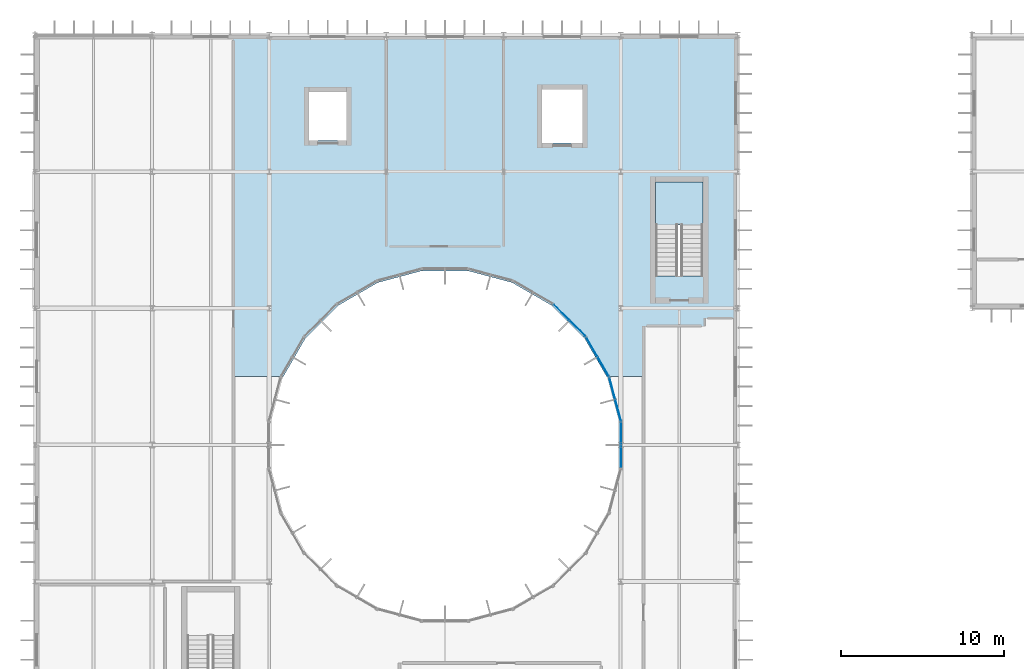
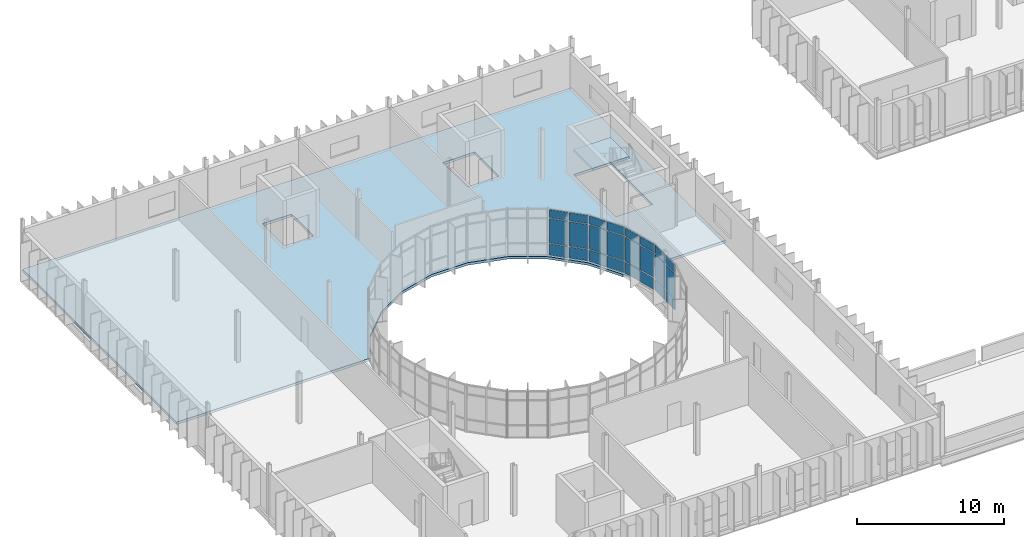
# One storey, part 35 of 61: 24 plates, 2 slabs, 5 elements without a shape of their own.
"""IFC4 building model written with IfcOpenShell, lengths in metres."""

from ifc_helpers import new_model, si_unit, direction, frame, origin, origin_2d, place, context, subcontext, project, spatial, polyline, rectangle, outline, extrude, material, layer, layer_set, type_object, element, aggregate, save


model = new_model("IFC4")

# Units and contexts
model_context = context("Model", 3, precision=1e-05, world=origin(), true_north=direction((0.0, 1.0)))
body_context = subcontext(model_context, "Body", "Model", "MODEL_VIEW")
ifc_project = project(units=[si_unit("LENGTHUNIT", "METRE"), si_unit("AREAUNIT", "SQUARE_METRE"), si_unit("VOLUMEUNIT", "CUBIC_METRE"), si_unit("PLANEANGLEUNIT", "RADIAN"), si_unit("MASSUNIT", "GRAM", prefix="KILO")], contexts=[model_context])

# Site, building, storey
site_placement = place(None, origin())
site = spatial("IfcSite", under=ifc_project, at=site_placement, CompositionType="ELEMENT")
building_placement = place(site_placement, origin())
building = spatial("IfcBuilding", under=site, at=building_placement, Name="Qelthora Terrace Specialist Clinic", CompositionType="ELEMENT")
storey_placement = place(building_placement, frame((0.0, 0.0, 13.199951171875)))
storey = spatial("IfcBuildingStorey", under=building, at=storey_placement, Name="L03", CompositionType="ELEMENT", Elevation=13.199951171875)

# Curtain wall, plates
ifc_material_1 = material(Name="Aluminium anodized bronze", Category="aluminium")
curtain_wall_type = type_object("IfcCurtainWallType", Name="CW-CRTW-UPP", PredefinedType="NOTDEFINED", material=ifc_material_1)
curtain_wall_1_placement = place(storey_placement, origin())
curtain_wall_1 = element("IfcCurtainWall", 1, at=curtain_wall_1_placement, inside=storey, type_object=curtain_wall_type, Name="Curtain wall CW-CW-L03-01", PredefinedType="NOTDEFINED")
ifc_material_2 = material(Name="Low-E triple-silver insulating glass", Category="glass")
ifc_layer_1 = layer(ifc_material_2, 0.035888671875)
ifc_layer_set_1 = layer_set([ifc_layer_1], Name="Low-E triple-silver insulating glass")
plate_type = type_object("IfcPlateType", Name="CWP-IGU-36", PredefinedType="CURTAIN_PANEL", material=ifc_layer_set_1)
plate_1_placement = place(storey_placement, frame((35.841064453125, 86.12158203125, 0.085205078125), z_axis=(0.0, 0.0, 1.0), x_axis=(-0.258820730961, 0.965925374563, 0.0)))
plate_1 = element("IfcPlate", 2, at=plate_1_placement, type_object=plate_type, Name="CW-CW-L03-01 glazed panel 1", PredefinedType="CURTAIN_PANEL", context=body_context, shape_type="SweptSolid", body=[
    extrude(rectangle(XDim=1.3095703125, YDim=0.035888671875, at=origin_2d()), origin(), (0.0, 0.0, 1.0), 0.919921875),
])
plate_2_placement = place(storey_placement, frame((35.841064453125, 86.12158203125, 1.09521484375), z_axis=(0.0, 0.0, 1.0), x_axis=(-0.258820730961, 0.965925374563, 0.0)))
plate_2 = element("IfcPlate", 3, at=plate_2_placement, type_object=plate_type, Name="CW-CW-L03-01 glazed panel 2", PredefinedType="CURTAIN_PANEL", context=body_context, shape_type="SweptSolid", body=[
    extrude(rectangle(XDim=1.3095703125, YDim=0.035888671875, at=origin_2d()), origin(), (0.0, 0.0, 1.0), 2.0048828125),
])
plate_3_placement = place(storey_placement, frame((35.841064453125, 86.12158203125, 3.190185546875), z_axis=(0.0, 0.0, 1.0), x_axis=(-0.258820730961, 0.965925374563, 0.0)))
plate_3 = element("IfcPlate", 4, at=plate_3_placement, type_object=plate_type, Name="CW-CW-L03-01 glazed panel 3", PredefinedType="CURTAIN_PANEL", context=body_context, shape_type="SweptSolid", body=[
    extrude(rectangle(XDim=1.3095703125, YDim=0.035888671875, at=origin_2d()), origin(), (0.0, 0.0, 1.0), 0.669921875),
])
plate_4_placement = place(storey_placement, frame((35.476318359375, 87.483154296875, 0.085205078125), z_axis=(0.0, 0.0, 1.0), x_axis=(-0.258820730961, 0.965925374563, 0.0)))
plate_4 = element("IfcPlate", 5, at=plate_4_placement, type_object=plate_type, Name="CW-CW-L03-01 glazed panel 4", PredefinedType="CURTAIN_PANEL", context=body_context, shape_type="SweptSolid", body=[
    extrude(rectangle(XDim=1.3095703125, YDim=0.035888671875, at=origin_2d()), origin(), (0.0, 0.0, 1.0), 0.919921875),
])
plate_5_placement = place(storey_placement, frame((35.476318359375, 87.483154296875, 1.09521484375), z_axis=(0.0, 0.0, 1.0), x_axis=(-0.258820730961, 0.965925374563, 0.0)))
plate_5 = element("IfcPlate", 6, at=plate_5_placement, type_object=plate_type, Name="CW-CW-L03-01 glazed panel 5", PredefinedType="CURTAIN_PANEL", context=body_context, shape_type="SweptSolid", body=[
    extrude(rectangle(XDim=1.3095703125, YDim=0.035888671875, at=origin_2d()), origin(), (0.0, 0.0, 1.0), 2.0048828125),
])
plate_6_placement = place(storey_placement, frame((35.476318359375, 87.483154296875, 3.190185546875), z_axis=(0.0, 0.0, 1.0), x_axis=(-0.258820730961, 0.965925374563, 0.0)))
plate_6 = element("IfcPlate", 7, at=plate_6_placement, type_object=plate_type, Name="CW-CW-L03-01 glazed panel 6", PredefinedType="CURTAIN_PANEL", context=body_context, shape_type="SweptSolid", body=[
    extrude(rectangle(XDim=1.3095703125, YDim=0.035888671875, at=origin_2d()), origin(), (0.0, 0.0, 1.0), 0.669921875),
])
aggregate(curtain_wall_1, [plate_1, plate_2, plate_3, plate_4, plate_5, plate_6])

curtain_wall_2_placement = place(storey_placement, origin())
curtain_wall_2 = element("IfcCurtainWall", 8, at=curtain_wall_2_placement, inside=storey, type_object=curtain_wall_type, Name="Curtain wall CW-CW-L03-02", PredefinedType="NOTDEFINED")
plate_7_placement = place(storey_placement, frame((34.929443359375, 88.803466796875, 0.085205078125), z_axis=(0.0, 0.0, 1.0), x_axis=(-0.5, 0.866025403784, 0.0)))
plate_7 = element("IfcPlate", 9, at=plate_7_placement, type_object=plate_type, Name="CW-CW-L03-02 glazed panel 1", PredefinedType="CURTAIN_PANEL", context=body_context, shape_type="SweptSolid", body=[
    extrude(rectangle(XDim=1.3095703125, YDim=0.035888671875, at=origin_2d()), origin(), (0.0, 0.0, 1.0), 0.919921875),
])
plate_8_placement = place(storey_placement, frame((34.929443359375, 88.803466796875, 1.09521484375), z_axis=(0.0, 0.0, 1.0), x_axis=(-0.5, 0.866025403784, 0.0)))
plate_8 = element("IfcPlate", 10, at=plate_8_placement, type_object=plate_type, Name="CW-CW-L03-02 glazed panel 2", PredefinedType="CURTAIN_PANEL", context=body_context, shape_type="SweptSolid", body=[
    extrude(rectangle(XDim=1.3095703125, YDim=0.035888671875, at=origin_2d()), origin(), (0.0, 0.0, 1.0), 2.0048828125),
])
plate_9_placement = place(storey_placement, frame((34.929443359375, 88.803466796875, 3.190185546875), z_axis=(0.0, 0.0, 1.0), x_axis=(-0.5, 0.866025403784, 0.0)))
plate_9 = element("IfcPlate", 11, at=plate_9_placement, type_object=plate_type, Name="CW-CW-L03-02 glazed panel 3", PredefinedType="CURTAIN_PANEL", context=body_context, shape_type="SweptSolid", body=[
    extrude(rectangle(XDim=1.3095703125, YDim=0.035888671875, at=origin_2d()), origin(), (0.0, 0.0, 1.0), 0.669921875),
])
plate_10_placement = place(storey_placement, frame((34.224609375, 90.024169921875, 0.085205078125), z_axis=(0.0, 0.0, 1.0), x_axis=(-0.5, 0.866025403784, 0.0)))
plate_10 = element("IfcPlate", 12, at=plate_10_placement, type_object=plate_type, Name="CW-CW-L03-02 glazed panel 4", PredefinedType="CURTAIN_PANEL", context=body_context, shape_type="SweptSolid", body=[
    extrude(rectangle(XDim=1.3095703125, YDim=0.035888671875, at=origin_2d()), origin(), (0.0, 0.0, 1.0), 0.919921875),
])
plate_11_placement = place(storey_placement, frame((34.224609375, 90.024169921875, 1.09521484375), z_axis=(0.0, 0.0, 1.0), x_axis=(-0.5, 0.866025403784, 0.0)))
plate_11 = element("IfcPlate", 13, at=plate_11_placement, type_object=plate_type, Name="CW-CW-L03-02 glazed panel 5", PredefinedType="CURTAIN_PANEL", context=body_context, shape_type="SweptSolid", body=[
    extrude(rectangle(XDim=1.3095703125, YDim=0.035888671875, at=origin_2d()), origin(), (0.0, 0.0, 1.0), 2.0048828125),
])
plate_12_placement = place(storey_placement, frame((34.224609375, 90.024169921875, 3.190185546875), z_axis=(0.0, 0.0, 1.0), x_axis=(-0.5, 0.866025403784, 0.0)))
plate_12 = element("IfcPlate", 14, at=plate_12_placement, type_object=plate_type, Name="CW-CW-L03-02 glazed panel 6", PredefinedType="CURTAIN_PANEL", context=body_context, shape_type="SweptSolid", body=[
    extrude(rectangle(XDim=1.3095703125, YDim=0.035888671875, at=origin_2d()), origin(), (0.0, 0.0, 1.0), 0.669921875),
])
aggregate(curtain_wall_2, [plate_7, plate_8, plate_9, plate_10, plate_11, plate_12])

curtain_wall_3_placement = place(storey_placement, origin())
curtain_wall_3 = element("IfcCurtainWall", 15, at=curtain_wall_3_placement, inside=storey, type_object=curtain_wall_type, Name="Curtain wall CW-CW-L03-03", PredefinedType="NOTDEFINED")
plate_13_placement = place(storey_placement, frame((33.354736328125, 91.157958984375, 0.085205078125), z_axis=(0.0, 0.0, 1.0), x_axis=(-0.707106781187, 0.707106781187, 0.0)))
plate_13 = element("IfcPlate", 16, at=plate_13_placement, type_object=plate_type, Name="CW-CW-L03-03 glazed panel 1", PredefinedType="CURTAIN_PANEL", context=body_context, shape_type="SweptSolid", body=[
    extrude(rectangle(XDim=1.3095703125, YDim=0.035888671875, at=origin_2d()), origin(), (0.0, 0.0, 1.0), 0.919921875),
])
plate_14_placement = place(storey_placement, frame((33.354736328125, 91.157958984375, 1.09521484375), z_axis=(0.0, 0.0, 1.0), x_axis=(-0.707106781187, 0.707106781187, 0.0)))
plate_14 = element("IfcPlate", 17, at=plate_14_placement, type_object=plate_type, Name="CW-CW-L03-03 glazed panel 2", PredefinedType="CURTAIN_PANEL", context=body_context, shape_type="SweptSolid", body=[
    extrude(rectangle(XDim=1.3095703125, YDim=0.035888671875, at=origin_2d()), origin(), (0.0, 0.0, 1.0), 2.0048828125),
])
plate_15_placement = place(storey_placement, frame((33.354736328125, 91.157958984375, 3.190185546875), z_axis=(0.0, 0.0, 1.0), x_axis=(-0.707106781187, 0.707106781187, 0.0)))
plate_15 = element("IfcPlate", 18, at=plate_15_placement, type_object=plate_type, Name="CW-CW-L03-03 glazed panel 3", PredefinedType="CURTAIN_PANEL", context=body_context, shape_type="SweptSolid", body=[
    extrude(rectangle(XDim=1.3095703125, YDim=0.035888671875, at=origin_2d()), origin(), (0.0, 0.0, 1.0), 0.669921875),
])
plate_16_placement = place(storey_placement, frame((32.35791015625, 92.15478515625, 0.085205078125), z_axis=(0.0, 0.0, 1.0), x_axis=(-0.707106781187, 0.707106781187, 0.0)))
plate_16 = element("IfcPlate", 19, at=plate_16_placement, type_object=plate_type, Name="CW-CW-L03-03 glazed panel 4", PredefinedType="CURTAIN_PANEL", context=body_context, shape_type="SweptSolid", body=[
    extrude(rectangle(XDim=1.3095703125, YDim=0.035888671875, at=origin_2d()), origin(), (0.0, 0.0, 1.0), 0.919921875),
])
plate_17_placement = place(storey_placement, frame((32.35791015625, 92.15478515625, 1.09521484375), z_axis=(0.0, 0.0, 1.0), x_axis=(-0.707106781187, 0.707106781187, 0.0)))
plate_17 = element("IfcPlate", 20, at=plate_17_placement, type_object=plate_type, Name="CW-CW-L03-03 glazed panel 5", PredefinedType="CURTAIN_PANEL", context=body_context, shape_type="SweptSolid", body=[
    extrude(rectangle(XDim=1.3095703125, YDim=0.035888671875, at=origin_2d()), origin(), (0.0, 0.0, 1.0), 2.0048828125),
])
plate_18_placement = place(storey_placement, frame((32.35791015625, 92.15478515625, 3.190185546875), z_axis=(0.0, 0.0, 1.0), x_axis=(-0.707106781187, 0.707106781187, 0.0)))
plate_18 = element("IfcPlate", 21, at=plate_18_placement, type_object=plate_type, Name="CW-CW-L03-03 glazed panel 6", PredefinedType="CURTAIN_PANEL", context=body_context, shape_type="SweptSolid", body=[
    extrude(rectangle(XDim=1.3095703125, YDim=0.035888671875, at=origin_2d()), origin(), (0.0, 0.0, 1.0), 0.669921875),
])
aggregate(curtain_wall_3, [plate_13, plate_14, plate_15, plate_16, plate_17, plate_18])

curtain_wall_4_placement = place(storey_placement, origin())
curtain_wall_4 = element("IfcCurtainWall", 22, at=curtain_wall_4_placement, inside=storey, type_object=curtain_wall_type, Name="Curtain wall CW-CW-L03-24", PredefinedType="NOTDEFINED")
plate_19_placement = place(storey_placement, frame((36.027587890625, 83.295166015625, 0.085205078125), z_axis=(0.0, 0.0, 1.0), x_axis=(0.0, 1.0, 0.0)))
plate_19 = element("IfcPlate", 23, at=plate_19_placement, type_object=plate_type, Name="CW-CW-L03-24 glazed panel 1", PredefinedType="CURTAIN_PANEL", context=body_context, shape_type="SweptSolid", body=[
    extrude(rectangle(XDim=1.3095703125, YDim=0.035888671875, at=origin_2d()), origin(), (0.0, 0.0, 1.0), 0.919921875),
])
plate_20_placement = place(storey_placement, frame((36.027587890625, 83.295166015625, 1.09521484375), z_axis=(0.0, 0.0, 1.0), x_axis=(0.0, 1.0, 0.0)))
plate_20 = element("IfcPlate", 24, at=plate_20_placement, type_object=plate_type, Name="CW-CW-L03-24 glazed panel 2", PredefinedType="CURTAIN_PANEL", context=body_context, shape_type="SweptSolid", body=[
    extrude(rectangle(XDim=1.3095703125, YDim=0.035888671875, at=origin_2d()), origin(), (0.0, 0.0, 1.0), 2.0048828125),
])
plate_21_placement = place(storey_placement, frame((36.027587890625, 83.295166015625, 3.190185546875), z_axis=(0.0, 0.0, 1.0), x_axis=(0.0, 1.0, 0.0)))
plate_21 = element("IfcPlate", 25, at=plate_21_placement, type_object=plate_type, Name="CW-CW-L03-24 glazed panel 3", PredefinedType="CURTAIN_PANEL", context=body_context, shape_type="SweptSolid", body=[
    extrude(rectangle(XDim=1.3095703125, YDim=0.035888671875, at=origin_2d()), origin(), (0.0, 0.0, 1.0), 0.669921875),
])
plate_22_placement = place(storey_placement, frame((36.027587890625, 84.704833984375, 0.085205078125), z_axis=(0.0, 0.0, 1.0), x_axis=(0.0, 1.0, 0.0)))
plate_22 = element("IfcPlate", 26, at=plate_22_placement, type_object=plate_type, Name="CW-CW-L03-24 glazed panel 4", PredefinedType="CURTAIN_PANEL", context=body_context, shape_type="SweptSolid", body=[
    extrude(rectangle(XDim=1.3095703125, YDim=0.035888671875, at=origin_2d()), origin(), (0.0, 0.0, 1.0), 0.919921875),
])
plate_23_placement = place(storey_placement, frame((36.027587890625, 84.704833984375, 1.09521484375), z_axis=(0.0, 0.0, 1.0), x_axis=(0.0, 1.0, 0.0)))
plate_23 = element("IfcPlate", 27, at=plate_23_placement, type_object=plate_type, Name="CW-CW-L03-24 glazed panel 5", PredefinedType="CURTAIN_PANEL", context=body_context, shape_type="SweptSolid", body=[
    extrude(rectangle(XDim=1.3095703125, YDim=0.035888671875, at=origin_2d()), origin(), (0.0, 0.0, 1.0), 2.0048828125),
])
plate_24_placement = place(storey_placement, frame((36.027587890625, 84.704833984375, 3.190185546875), z_axis=(0.0, 0.0, 1.0), x_axis=(0.0, 1.0, 0.0)))
plate_24 = element("IfcPlate", 28, at=plate_24_placement, type_object=plate_type, Name="CW-CW-L03-24 glazed panel 6", PredefinedType="CURTAIN_PANEL", context=body_context, shape_type="SweptSolid", body=[
    extrude(rectangle(XDim=1.3095703125, YDim=0.035888671875, at=origin_2d()), origin(), (0.0, 0.0, 1.0), 0.669921875),
])
aggregate(curtain_wall_4, [plate_19, plate_20, plate_21, plate_22, plate_23, plate_24])

# Slab
ifc_material_3 = material(Name="Concrete C30/37", Category="concrete")
ifc_layer_2 = layer(ifc_material_3, 0.2099609375)
ifc_layer_set_2 = layer_set([ifc_layer_2], Name="Concrete C30/37")
slab_type_1 = type_object("IfcSlabType", Name="SLB-FLR-210-C30", PredefinedType="FLOOR", material=ifc_layer_set_2)
slab_1_placement = place(storey_placement, frame((0.0, 0.0, -0.2099609375)))
element("IfcSlab", 29, at=slab_1_placement, inside=storey, type_object=slab_type_1, Name="L03 V5 slab SLB-L03-V5-3A", PredefinedType="FLOOR", context=body_context, shape_type="SweptSolid", body=[
    extrude(outline(polyline([(0.0, 109.199951171875), (43.199951171875, 109.199951171875), (43.199951171875, 88.199951171875), (35.13916015625, 88.199951171875), (33.768310546875, 90.57470703125), (31.774658203125, 92.568115234375), (29.3330078125, 93.977783203125), (26.609619140625, 94.70751953125), (23.790283203125, 94.70751953125), (21.067138671875, 93.977783203125), (18.62548828125, 92.568115234375), (16.6318359375, 90.57470703125), (15.2607421875, 88.199951171875), (0.0, 88.199951171875), (0.0, 109.199951171875)]), holes=[polyline([(41.050048828125, 100.14990234375), (38.14990234375, 100.14990234375), (38.14990234375, 94.400634765625), (41.050048828125, 94.400634765625), (41.050048828125, 100.14990234375)]), polyline([(33.64990234375, 105.85009765625), (31.14990234375, 105.85009765625), (31.14990234375, 102.550048828125), (33.64990234375, 102.550048828125), (33.64990234375, 105.85009765625)]), polyline([(19.14990234375, 102.699951171875), (19.14990234375, 105.699951171875), (16.85009765625, 105.699951171875), (16.85009765625, 102.699951171875), (19.14990234375, 102.699951171875)])]), origin(), (0.0, 0.0, 1.0), 0.2099609375),
])

# Stair, slab
stair_type = type_object("IfcStairType", Name="STR-175-285", PredefinedType="HALF_TURN_STAIR", material=ifc_material_3)
stair_placement = place(storey_placement, origin())
stair = element("IfcStair", 30, at=stair_placement, inside=storey, type_object=stair_type, Name="L03 Enclosed Exit Stair ST-02", PredefinedType="HALF_TURN_STAIR")
ifc_layer_3 = layer(ifc_material_3, 0.199951171875)
ifc_layer_set_3 = layer_set([ifc_layer_3], Name="Concrete C30/37")
slab_type_2 = type_object("IfcSlabType", Name="SLB-LAND-200-C30", PredefinedType="LANDING", material=ifc_layer_set_3)
slab_2_placement = place(storey_placement, frame((0.0, 0.0, 1.900146484375)))
slab_2 = element("IfcSlab", 31, at=slab_2_placement, type_object=slab_type_2, Name="ST-02 landing 1", PredefinedType="LANDING", context=body_context, shape_type="SweptSolid", body=[
    extrude(outline(polyline([(41.050048828125, 97.534912109375), (41.050048828125, 100.14990234375), (38.14990234375, 100.14990234375), (38.14990234375, 97.534912109375), (41.050048828125, 97.534912109375)])), origin(), (0.0, 0.0, 1.0), 0.199951171875),
])
aggregate(stair, [slab_2])

save(model, "model.ifc")
